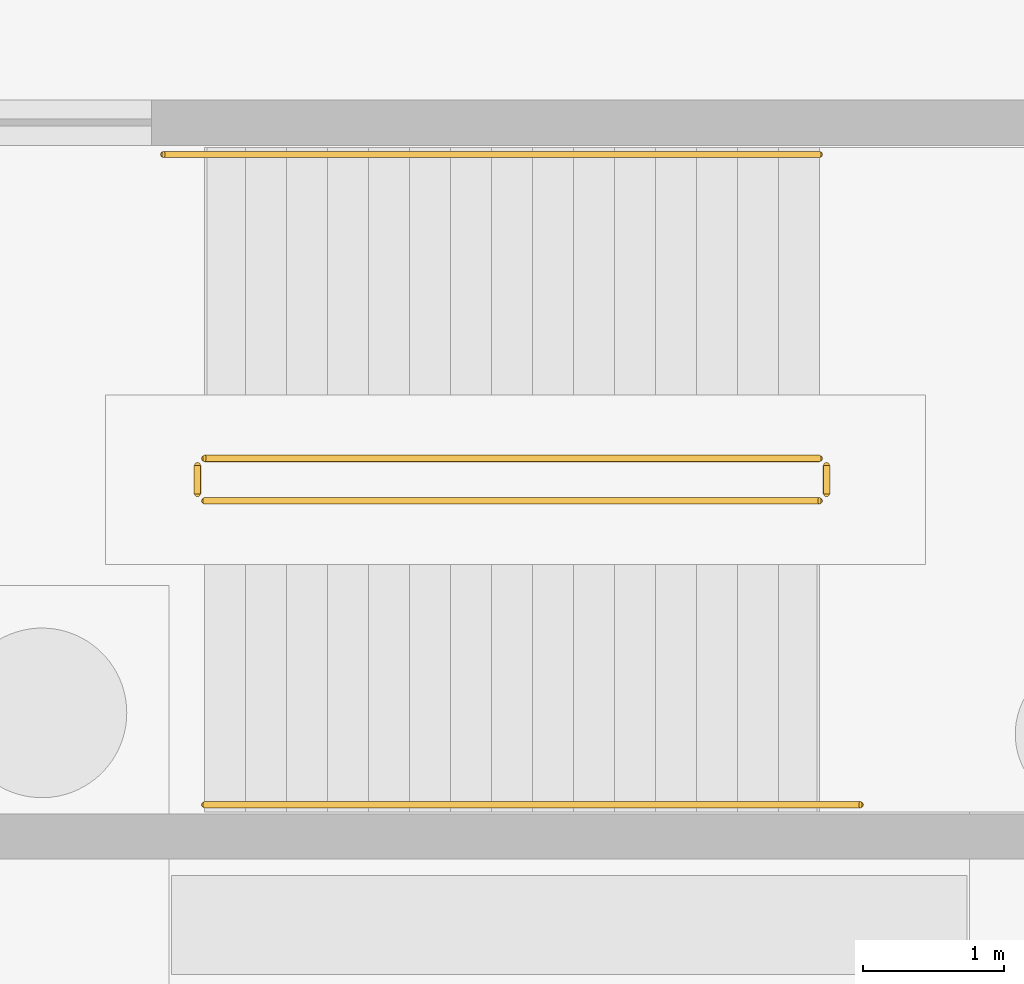
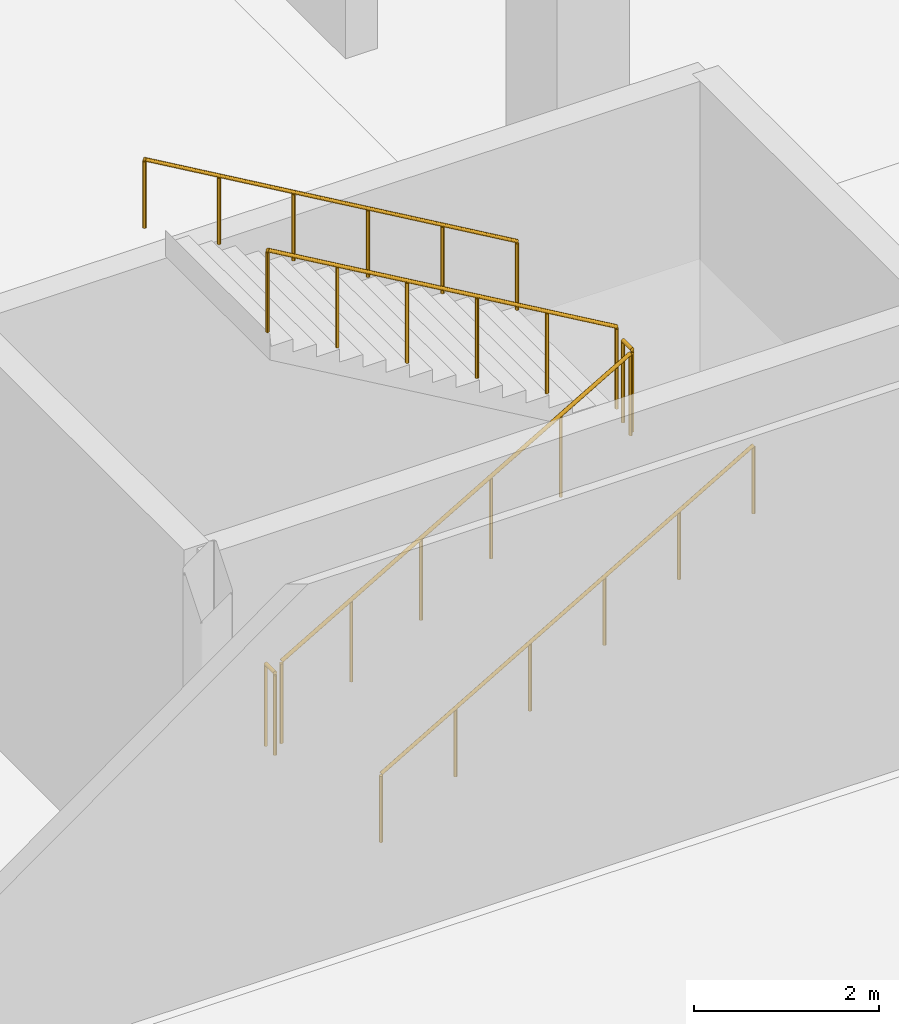
# One storey, part 54 of 60: 6 railings.
"""IFC4 building model written with IfcOpenShell, lengths in metres."""

from ifc_helpers import new_model, si_unit, direction, frame, origin, origin_2d, place, context, subcontext, project, spatial, circle, extrude, material, type_object, element, save


model = new_model("IFC4")

# Units and contexts
model_context = context("Model", 3, precision=1e-05, world=origin(), true_north=direction((0.0, 1.0)))
body_context = subcontext(model_context, "Body", "Model", "MODEL_VIEW")
ifc_project = project(units=[si_unit("LENGTHUNIT", "METRE"), si_unit("AREAUNIT", "SQUARE_METRE"), si_unit("VOLUMEUNIT", "CUBIC_METRE"), si_unit("PLANEANGLEUNIT", "RADIAN"), si_unit("MASSUNIT", "GRAM", prefix="KILO")], contexts=[model_context])

# Site, building, storey
site_placement = place(None, origin())
site = spatial("IfcSite", under=ifc_project, at=site_placement, CompositionType="ELEMENT")
building_placement = place(site_placement, origin())
building = spatial("IfcBuilding", under=site, at=building_placement, Name="Trimount Lyric Opera House", CompositionType="ELEMENT")
storey_placement = place(building_placement, frame((0.0, 0.0, -5.39990234375)))
storey = spatial("IfcBuildingStorey", under=building, at=storey_placement, Name="B1", CompositionType="ELEMENT", Elevation=-5.39990234375)

# Railings
ifc_material_1 = material(Name="Brushed Stainless Steel 316", Category="steel")
railing_type_1 = type_object("IfcRailingType", Name="RL-GRD110", PredefinedType="GUARDRAIL", material=ifc_material_1)
railing_1_placement = place(storey_placement, frame((56.64990234375, 47.0, 0.168701171875)))
element("IfcRailing", 1, at=railing_1_placement, inside=storey, type_object=railing_type_1, Name="B1 ST-07 stair guard 1", PredefinedType="GUARDRAIL", context=body_context, shape_type="SweptSolid", body=[
    extrude(circle(Radius=0.02392578125, at=origin_2d()), frame((0.0, 0.0, 1.076171875), z_axis=(0.864323800911, 0.0, 0.50293574856), x_axis=(0.0, 1.0, 0.0)), (0.0, 0.0, 1.0), 5.032958984375),
    extrude(circle(Radius=0.02099609375, at=origin_2d()), origin(), (0.0, 0.0, 1.0), 1.052001953125),
    extrude(circle(Radius=0.02099609375, at=origin_2d()), frame((0.8701171875, 0.0, 0.50634765625)), (0.0, 0.0, 1.0), 1.052001953125),
    extrude(circle(Radius=0.02099609375, at=origin_2d()), frame((1.739990234375, 0.0, 1.012451171875)), (0.0, 0.0, 1.0), 1.052001953125),
    extrude(circle(Radius=0.02099609375, at=origin_2d()), frame((2.610107421875, 0.0, 1.518798828125)), (0.0, 0.0, 1.0), 1.052001953125),
    extrude(circle(Radius=0.02099609375, at=origin_2d()), frame((3.47998046875, 0.0, 2.02490234375)), (0.0, 0.0, 1.0), 1.052001953125),
    extrude(circle(Radius=0.02099609375, at=origin_2d()), frame((4.35009765625, 0.0, 2.53125)), (0.0, 0.0, 1.0), 1.052001953125),
])
railing_2_placement = place(storey_placement, frame((61.050048828125, 47.050048828125, 2.699951171875)))
element("IfcRailing", 2, at=railing_2_placement, inside=storey, type_object=railing_type_1, Name="B1 ST-07 stair guard 2", PredefinedType="GUARDRAIL", context=body_context, shape_type="SweptSolid", body=[
    extrude(circle(Radius=0.02392578125, at=origin_2d()), frame((0.0, 0.0, 1.076171875), z_axis=(0.0, 1.0, 0.0), x_axis=(-1.0, 0.0, 0.0)), (0.0, 0.0, 1.0), 0.199951171875),
    extrude(circle(Radius=0.02099609375, at=origin_2d()), origin(), (0.0, 0.0, 1.0), 1.052001953125),
    extrude(circle(Radius=0.02099609375, at=origin_2d()), frame((0.0, 0.199951171875, 0.0)), (0.0, 0.0, 1.0), 1.052001953125),
])
railing_3_placement = place(storey_placement, frame((61.0, 47.300048828125, 2.86865234375)))
element("IfcRailing", 3, at=railing_3_placement, inside=storey, type_object=railing_type_1, Name="B1 ST-07 stair guard 3", PredefinedType="GUARDRAIL", context=body_context, shape_type="SweptSolid", body=[
    extrude(circle(Radius=0.02392578125, at=origin_2d()), frame((0.0, 0.0, 1.076171875), z_axis=(-0.864323800911, 0.0, 0.50293574856), x_axis=(0.0, -1.0, 0.0)), (0.0, 0.0, 1.0), 5.032958984375),
    extrude(circle(Radius=0.02099609375, at=origin_2d()), origin(), (0.0, 0.0, 1.0), 1.052001953125),
    extrude(circle(Radius=0.02099609375, at=origin_2d()), frame((-0.8701171875, 0.0, 0.50634765625)), (0.0, 0.0, 1.0), 1.052001953125),
    extrude(circle(Radius=0.02099609375, at=origin_2d()), frame((-1.739990234375, 0.0, 1.012451171875)), (0.0, 0.0, 1.0), 1.052001953125),
    extrude(circle(Radius=0.02099609375, at=origin_2d()), frame((-2.610107421875, 0.0, 1.518798828125)), (0.0, 0.0, 1.0), 1.052001953125),
    extrude(circle(Radius=0.02099609375, at=origin_2d()), frame((-3.47998046875, 0.0, 2.02490234375)), (0.0, 0.0, 1.0), 1.052001953125),
    extrude(circle(Radius=0.02099609375, at=origin_2d()), frame((-4.35009765625, 0.0, 2.53125)), (0.0, 0.0, 1.0), 1.052001953125),
])
railing_4_placement = place(storey_placement, frame((56.60009765625, 47.050048828125, 0.0)))
element("IfcRailing", 4, at=railing_4_placement, inside=storey, type_object=railing_type_1, Name="B1 ST-07 stair guard 4", PredefinedType="GUARDRAIL", context=body_context, shape_type="SweptSolid", body=[
    extrude(circle(Radius=0.02392578125, at=origin_2d()), frame((0.0, 0.0, 1.076171875), z_axis=(0.0, 1.0, 0.0), x_axis=(-1.0, 0.0, 0.0)), (0.0, 0.0, 1.0), 0.199951171875),
    extrude(circle(Radius=0.02099609375, at=origin_2d()), origin(), (0.0, 0.0, 1.0), 1.052001953125),
    extrude(circle(Radius=0.02099609375, at=origin_2d()), frame((0.0, 0.199951171875, 0.0)), (0.0, 0.0, 1.0), 1.052001953125),
])
ifc_material_2 = material(Name="Brushed Stainless Steel 316", Category="steel")
railing_type_2 = type_object("IfcRailingType", Name="RL-HND092", PredefinedType="HANDRAIL", material=ifc_material_2)
railing_5_placement = place(storey_placement, frame((56.64990234375, 44.85009765625, 0.168701171875)))
element("IfcRailing", 5, at=railing_5_placement, inside=storey, type_object=railing_type_2, Name="B1 ST-07 stair handrail 1", PredefinedType="HANDRAIL", context=body_context, shape_type="SweptSolid", body=[
    extrude(circle(Radius=0.0224609375, at=origin_2d()), frame((0.0, 0.0, 0.8974609375), z_axis=(0.86407226244, 0.0, 0.503367783318), x_axis=(0.0, 1.0, 0.0)), (0.0, 0.0, 1.0), 5.3701171875),
    extrude(circle(Radius=0.02099609375, at=origin_2d()), origin(), (0.0, 0.0, 1.0), 0.875),
    extrude(circle(Radius=0.02099609375, at=origin_2d()), frame((0.927978515625, 0.0, 0.54052734375)), (0.0, 0.0, 1.0), 0.875),
    extrude(circle(Radius=0.02099609375, at=origin_2d()), frame((1.85595703125, 0.0, 1.081298828125)), (0.0, 0.0, 1.0), 0.875),
    extrude(circle(Radius=0.02099609375, at=origin_2d()), frame((2.7841796875, 0.0, 1.621826171875)), (0.0, 0.0, 1.0), 0.875),
    extrude(circle(Radius=0.02099609375, at=origin_2d()), frame((3.712158203125, 0.0, 2.16259765625)), (0.0, 0.0, 1.0), 0.875),
    extrude(circle(Radius=0.02099609375, at=origin_2d()), frame((4.64013671875, 0.0, 2.703125)), (0.0, 0.0, 1.0), 0.875),
])
railing_6_placement = place(storey_placement, frame((61.0, 49.449951171875, 2.86865234375)))
element("IfcRailing", 6, at=railing_6_placement, inside=storey, type_object=railing_type_2, Name="B1 ST-07 stair handrail 2", PredefinedType="HANDRAIL", context=body_context, shape_type="SweptSolid", body=[
    extrude(circle(Radius=0.0224609375, at=origin_2d()), frame((0.0, 0.0, 0.8974609375), z_axis=(-0.864060742353, 0.0, 0.503387557976), x_axis=(0.0, -1.0, 0.0)), (0.0, 0.0, 1.0), 5.369873046875),
    extrude(circle(Radius=0.02099609375, at=origin_2d()), origin(), (0.0, 0.0, 1.0), 0.875),
    extrude(circle(Radius=0.02099609375, at=origin_2d()), frame((-0.927978515625, 0.0, 0.54052734375)), (0.0, 0.0, 1.0), 0.875),
    extrude(circle(Radius=0.02099609375, at=origin_2d()), frame((-1.85595703125, 0.0, 1.081298828125)), (0.0, 0.0, 1.0), 0.875),
    extrude(circle(Radius=0.02099609375, at=origin_2d()), frame((-2.783935546875, 0.0, 1.621826171875)), (0.0, 0.0, 1.0), 0.875),
    extrude(circle(Radius=0.02099609375, at=origin_2d()), frame((-3.7119140625, 0.0, 2.16259765625)), (0.0, 0.0, 1.0), 0.875),
    extrude(circle(Radius=0.02099609375, at=origin_2d()), frame((-4.639892578125, 0.0, 2.703125)), (0.0, 0.0, 1.0), 0.875),
])

save(model, "model.ifc")
